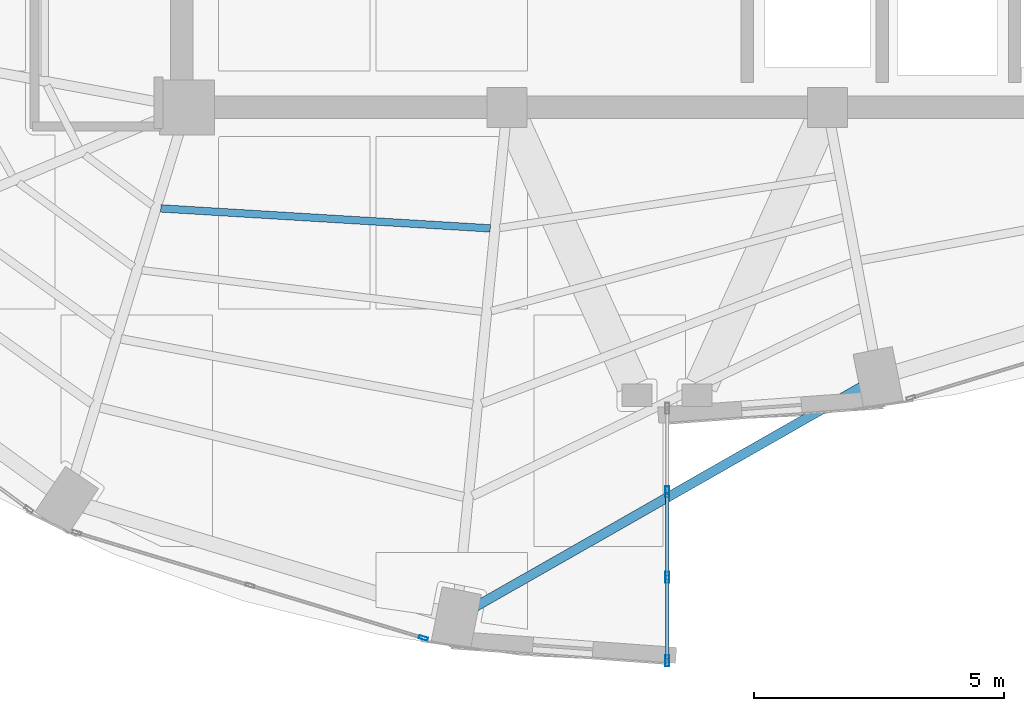
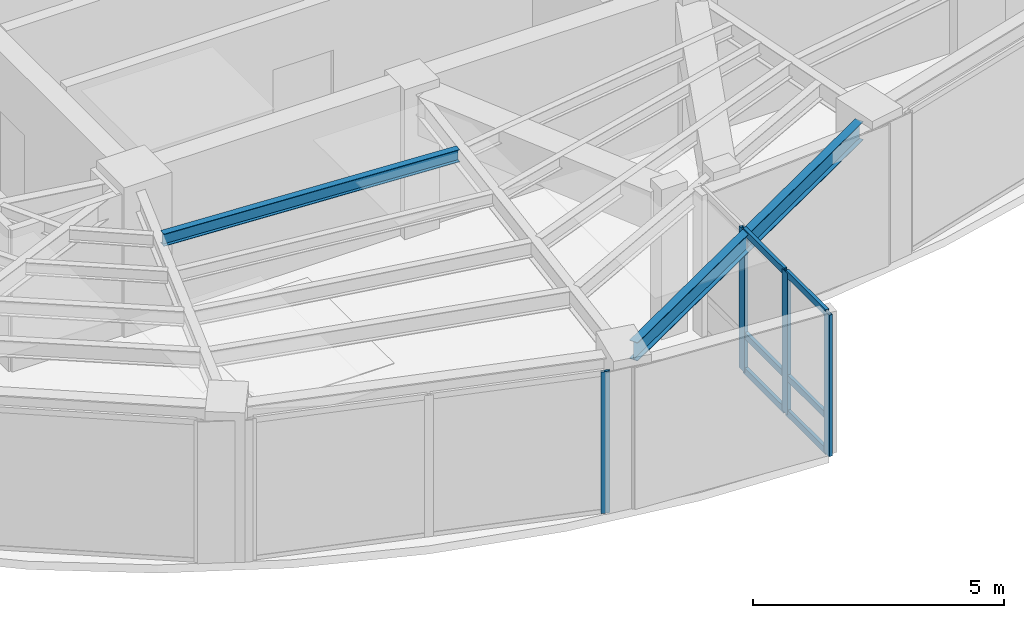
# One storey, part 5 of 22: 10 members, 2 beams, 2 elements without a shape of their own.
"""IFC4 building model written with IfcOpenShell, lengths in metres."""

import ifcopenshell
import ifcopenshell.guid

model = None  # the IFC model being written
_history = None  # IfcOwnerHistory: only IFC2X3 demands one
_inside = {}  # id of a spatial element -> (the spatial element, [elements in it])
_under = {}  # id of a project, library or spatial element -> (it, [spatial elements below it])
_declared = {}  # id of a project -> (the project, [libraries it declares])
_typed = {}  # id of a type object -> (the type object, [elements of that type])
_made_of = {}  # id of a material, layer set ... -> (it, [elements and type objects made of it])


def new_model(schema):
    """Start an empty IFC model of exactly this schema.

    Asked for "IFC4X3", IfcOpenShell would pick the latest addendum, in which some entities
    have other attributes; the version numbers below select the first issue.
    IFC2X3 requires an IfcOwnerHistory on every rooted entity: one is made here for all.
    """
    global model, _history
    if schema == "IFC4X3":
        model = ifcopenshell.file(schema_version=(4, 3, 0, 0))
    else:
        model = ifcopenshell.file(schema=schema)
    _inside.clear()
    _under.clear()
    _declared.clear()
    _typed.clear()
    _made_of.clear()
    _history = None
    if model.schema == "IFC2X3":
        org = make("IfcOrganization", Name="unknown")
        user = make(
            "IfcPersonAndOrganization",
            ThePerson=make("IfcPerson", FamilyName="unknown"),
            TheOrganization=org,
        )
        app = make(
            "IfcApplication",
            ApplicationDeveloper=org,
            Version="unknown",
            ApplicationFullName="unknown",
            ApplicationIdentifier="unknown",
        )
        _history = make(
            "IfcOwnerHistory",
            OwningUser=user,
            OwningApplication=app,
            ChangeAction="ADDED",
            CreationDate=0,
        )
    return model


def make(cls, **values):
    """One entity of the class cls with the attributes given. An attribute that is None is left unset."""
    return model.create_entity(
        cls, **{name: value for name, value in values.items() if value is not None}
    )


def rooted(cls, **values):
    """An entity with a GlobalId (a new one), such as an element, a storey or a relation."""
    return make(cls, GlobalId=ifcopenshell.guid.new(), OwnerHistory=_history, **values)


def si_unit(unit_type, name, prefix=None):
    """IfcSIUnit, for example si_unit("LENGTHUNIT", "METRE", prefix="MILLI")."""
    return make("IfcSIUnit", UnitType=unit_type, Prefix=prefix, Name=name)


def assignment(units):
    """IfcUnitAssignment: the units of a project."""
    return None if units is None else make("IfcUnitAssignment", Units=units)


def point(xyz):
    """IfcCartesianPoint."""
    return None if xyz is None else make("IfcCartesianPoint", Coordinates=xyz)


def direction(xyz):
    """IfcDirection."""
    return None if xyz is None else make("IfcDirection", DirectionRatios=xyz)


def frame(location, z_axis=None, x_axis=None):
    """IfcAxis2Placement3D, a coordinate frame: its origin and axes. An axis left out is left unset."""
    return make(
        "IfcAxis2Placement3D",
        Location=point(location),
        Axis=direction(z_axis),
        RefDirection=direction(x_axis),
    )


def frame_2d(location, x_axis=None):
    """IfcAxis2Placement2D, a coordinate frame in the plane: its origin and x axis."""
    return make(
        "IfcAxis2Placement2D", Location=point(location), RefDirection=direction(x_axis)
    )


def origin():
    """The frame at (0, 0, 0) with its axes left unset."""
    return frame((0.0, 0.0, 0.0))


def origin_2d():
    """The frame at (0, 0) in the plane with its x axis left unset."""
    return frame_2d((0.0, 0.0))


def place(relative_to, where):
    """IfcLocalPlacement: puts the frame where relative to a parent placement (None: the world)."""
    return make(
        "IfcLocalPlacement", PlacementRelTo=relative_to, RelativePlacement=where
    )


def context(
    kind, dimensions, precision=None, world=None, true_north=None, identifier=None
):
    """IfcGeometricRepresentationContext, for example the 3D "Model" context."""
    return make(
        "IfcGeometricRepresentationContext",
        ContextIdentifier=identifier,
        ContextType=kind,
        CoordinateSpaceDimension=dimensions,
        Precision=precision,
        WorldCoordinateSystem=world,
        TrueNorth=true_north,
    )


def subcontext(parent, identifier, kind, view, scale=None):
    """IfcGeometricRepresentationSubContext, for example "Body" below "Model"."""
    return make(
        "IfcGeometricRepresentationSubContext",
        ContextIdentifier=identifier,
        ContextType=kind,
        ParentContext=parent,
        TargetScale=scale,
        TargetView=view,
    )


def project(units=None, contexts=None):
    """IfcProject with its units and contexts."""
    return rooted(
        "IfcProject",
        Name="project",
        RepresentationContexts=contexts,
        UnitsInContext=assignment(units),
    )


def spatial(cls, under=None, at=None, **own):
    """A site, building, storey or space (cls), placed at a placement, below another one or the project."""
    s = rooted(cls, ObjectPlacement=at, **own)
    if under is not None:
        _under.setdefault(under.id(), (under, []))[1].append(s)
    return s


def profile(cls, at=None, kind="AREA", **sizes):
    """A parametric profile (cls). Its sizes go by their IFC names, for example OverallWidth=200.0."""
    return make(cls, ProfileType=kind, Position=at, **sizes)


def hollow_rectangle(**sizes):
    """IfcRectangleHollowProfileDef."""
    return profile("IfcRectangleHollowProfileDef", **sizes)


def i_section(**sizes):
    """IfcIShapeProfileDef."""
    return profile("IfcIShapeProfileDef", **sizes)


def extrude(swept, where, along, depth):
    """IfcExtrudedAreaSolid: the profile swept, set in the frame where, extruded along a direction by depth."""
    return make(
        "IfcExtrudedAreaSolid",
        SweptArea=swept,
        Position=where,
        ExtrudedDirection=direction(along),
        Depth=depth,
    )


def shape(context_of_items, identifier, shape_type, items):
    """IfcShapeRepresentation: the items that make up one representation, for example the "Body"."""
    return make(
        "IfcShapeRepresentation",
        ContextOfItems=context_of_items,
        RepresentationIdentifier=identifier,
        RepresentationType=shape_type,
        Items=items,
    )


def material(Name=None, Category=None):
    """IfcMaterial."""
    return make("IfcMaterial", Name=Name, Category=Category)


def layer(
    of_material, thickness, ventilated=None, Name=None, Category=None, Priority=None
):
    """IfcMaterialLayer: one layer of a wall or slab, of a material (None: an air gap)."""
    return make(
        "IfcMaterialLayer",
        Material=of_material,
        LayerThickness=thickness,
        IsVentilated=ventilated,
        Name=Name,
        Category=Category,
        Priority=Priority,
    )


def layer_set(layers, Name=None):
    """IfcMaterialLayerSet."""
    return make("IfcMaterialLayerSet", MaterialLayers=layers, LayerSetName=Name)


def material_profile(
    of_material, cross_section, Name=None, Category=None, Priority=None
):
    """IfcMaterialProfile: a cross section and its material."""
    return make(
        "IfcMaterialProfile",
        Name=Name,
        Material=of_material,
        Profile=cross_section,
        Priority=Priority,
        Category=Category,
    )


def profile_set(profiles, Name=None, composite=None):
    """IfcMaterialProfileSet."""
    return make(
        "IfcMaterialProfileSet",
        Name=Name,
        MaterialProfiles=profiles,
        CompositeProfile=composite,
    )


def made_of(thing, what):
    """Note that an element or type object is made of a material, layer set ...; save() writes the relation."""
    if what is not None:
        _made_of.setdefault(what.id(), (what, []))[1].append(thing)
    return thing


def type_object(cls, material=None, **own):
    """A type object (cls), such as IfcWallType, which elements share."""
    return made_of(rooted(cls, **own), material)


def element(
    cls,
    number,
    at=None,
    inside=None,
    cuts=None,
    type_object=None,
    material=None,
    context=None,
    identifier="Body",
    shape_type=None,
    held_by="IfcProductDefinitionShape",
    body=None,
    shapes=None,
    **own,
):
    """One element of the class cls, such as IfcWall. Its Tag is "e" and its number.

    at: its placement. inside: the storey or other place that contains it. cuts: it is an
    opening in that element (IfcRelVoidsElement). A single representation is given by context,
    identifier, shape_type and body (its items); several are given by shapes. held_by: the class
    of the entity that holds the representations. save() writes the other relations.
    """
    e = rooted(cls, Tag="e%d" % number, ObjectPlacement=at, **own)
    if body is not None:
        shapes = [shape(context, identifier, shape_type, body)]
    if shapes is not None:
        e.Representation = make(held_by, Representations=shapes)
    if inside is not None:
        _inside.setdefault(inside.id(), (inside, []))[1].append(e)
    if cuts is not None:
        rooted(
            "IfcRelVoidsElement", RelatingBuildingElement=cuts, RelatedOpeningElement=e
        )
    if type_object is not None:
        _typed.setdefault(type_object.id(), (type_object, []))[1].append(e)
    return made_of(e, material)


def aggregate(whole, parts):
    """IfcRelAggregates: a whole, such as a stair, and the parts it consists of."""
    return rooted("IfcRelAggregates", RelatingObject=whole, RelatedObjects=parts)


def save(model, path):
    """Write the relations noted so far, then the file.

    IfcRelAggregates (storeys below a building ...), IfcRelContainedInSpatialStructure (elements
    in a storey), IfcRelDefinesByType, IfcRelAssociatesMaterial and IfcRelDeclares: one each for
    every whole, place, type object, material and project.
    """
    for whole, parts in _under.values():
        aggregate(whole, parts)
    for where, things in _inside.values():
        rooted(
            "IfcRelContainedInSpatialStructure",
            RelatedElements=things,
            RelatingStructure=where,
        )
    for kind, things in _typed.values():
        rooted("IfcRelDefinesByType", RelatedObjects=things, RelatingType=kind)
    for what, things in _made_of.values():
        rooted("IfcRelAssociatesMaterial", RelatedObjects=things, RelatingMaterial=what)
    for by, libraries in _declared.values():
        rooted("IfcRelDeclares", RelatingContext=by, RelatedDefinitions=libraries)
    model.write(path)


model = new_model("IFC4")

# Units and contexts
model_context = context("Model", 3, precision=1e-05, world=origin(), true_north=direction((0.0, 1.0)))
body_context = subcontext(model_context, "Body", "Model", "MODEL_VIEW")
ifc_project = project(units=[si_unit("LENGTHUNIT", "METRE"), si_unit("AREAUNIT", "SQUARE_METRE"), si_unit("VOLUMEUNIT", "CUBIC_METRE"), si_unit("PLANEANGLEUNIT", "RADIAN"), si_unit("MASSUNIT", "GRAM", prefix="KILO")], contexts=[model_context])

# Site, building, storey
site_placement = place(None, origin())
site = spatial("IfcSite", under=ifc_project, at=site_placement, CompositionType="ELEMENT")
building_placement = place(site_placement, origin())
building = spatial("IfcBuilding", under=site, at=building_placement, Name="Lazwardi Medical Tower", CompositionType="ELEMENT")
storey_placement = place(building_placement, frame((0.0, 0.0, 255.02392578125)))
storey = spatial("IfcBuildingStorey", under=building, at=storey_placement, Name="L66", CompositionType="ELEMENT", Elevation=255.02392578125)

# Beams
ifc_material_1 = material(Name="Steel S355", Category="steel")
ifc_material_profile_1 = material_profile(ifc_material_1, i_section(OverallWidth=0.14990234375, OverallDepth=0.300048828125, WebThickness=0.007080078125, FlangeThickness=0.0107421875, at=origin_2d()), Name="IPE 300")
ifc_profile_set_1 = profile_set([ifc_material_profile_1], Name="Steel S355")
beam_type_1 = type_object("IfcBeamType", Name="BM-SJ-03", PredefinedType="JOIST", material=ifc_profile_set_1)
beam_1_placement = place(storey_placement, frame((25.879150390625, 18.3798828125, 3.298095703125), z_axis=(0.998165515862, -0.060544223044, 0.0), x_axis=(0.060544223044, 0.998165515862, 0.0)))
element("IfcBeam", 1, at=beam_1_placement, inside=storey, type_object=beam_type_1, Name="Secondary joist SJ-03 R4 B15 L66", PredefinedType="JOIST", context=body_context, shape_type="SweptSolid", body=[
    extrude(i_section(OverallWidth=0.14990234375, OverallDepth=0.300048828125, WebThickness=0.007080078125, FlangeThickness=0.0107421875, at=origin_2d()), origin(), (0.0, 0.0, 1.0), 6.59716796875),
])
ifc_material_profile_2 = material_profile(ifc_material_1, i_section(OverallWidth=0.18994140625, OverallDepth=0.449951171875, WebThickness=0.009521484375, FlangeThickness=0.0146484375, at=origin_2d()), Name="IPE 450")
ifc_profile_set_2 = profile_set([ifc_material_profile_2], Name="Steel S355")
beam_type_2 = type_object("IfcBeamType", Name="BM-SP-01", PredefinedType="SPANDREL", material=ifc_profile_set_2)
beam_2_placement = place(storey_placement, frame((32.125, 10.394775390625, 3.22314453125), z_axis=(0.868954808466, 0.494891443494, 0.0), x_axis=(-0.494891443494, 0.868954808466, 0.0)))
element("IfcBeam", 2, at=beam_2_placement, inside=storey, type_object=beam_type_2, Name="Spandrel beam SP-01 B16 L66", PredefinedType="SPANDREL", context=body_context, shape_type="SweptSolid", body=[
    extrude(i_section(OverallWidth=0.18994140625, OverallDepth=0.449951171875, WebThickness=0.009521484375, FlangeThickness=0.0146484375, at=origin_2d()), origin(), (0.0, 0.0, 1.0), 8.918701171875),
])

# Curtain wall, members
ifc_material_2 = material(Name="Anodised bronze aluminium and solar control glazing", Category="aluminium")
ifc_layer_1 = layer(ifc_material_2, 0.2099609375)
ifc_layer_set_1 = layer_set([ifc_layer_1], Name="Anodised bronze aluminium and solar control glazing")
curtain_wall_type_1 = type_object("IfcCurtainWallType", Name="CW-SYS-06", PredefinedType="NOTDEFINED", material=ifc_layer_set_1)
curtain_wall_1_placement = place(storey_placement, origin())
curtain_wall_1 = element("IfcCurtainWall", 3, at=curtain_wall_1_placement, inside=storey, type_object=curtain_wall_type_1, Name="L66 Unitised bronze curtain wall CW-06", PredefinedType="NOTDEFINED")
ifc_material_3 = material(Name="Anodised bronze aluminium", Category="aluminium")
ifc_material_profile_3 = material_profile(ifc_material_3, hollow_rectangle(XDim=0.074951171875, YDim=0.219970703125, WallThickness=0.00390625, at=origin_2d()), Name="ALU-MULLION 220x75x4")
ifc_profile_set_3 = profile_set([ifc_material_profile_3], Name="Anodised bronze aluminium")
member_type_1 = type_object("IfcMemberType", Name="CW-MUL-01", PredefinedType="MULLION", material=ifc_profile_set_3)
member_1_placement = place(storey_placement, frame((36.0, 9.33740234375, 0.0), z_axis=(0.0, 0.0, 1.0), x_axis=(-1.0, 0.0, 0.0)))
member_1 = element("IfcMember", 4, at=member_1_placement, type_object=member_type_1, Name="CW-06 mullion 1", PredefinedType="MULLION", context=body_context, shape_type="SweptSolid", body=[
    extrude(hollow_rectangle(XDim=0.074951171875, YDim=0.219970703125, WallThickness=0.00390625, at=origin_2d()), origin(), (0.0, 0.0, 1.0), 3.447998046875),
])
member_2_placement = place(storey_placement, frame((36.0, 11.006591796875, 0.0), z_axis=(0.0, 0.0, 1.0), x_axis=(-1.0, 0.0, 0.0)))
member_2 = element("IfcMember", 5, at=member_2_placement, type_object=member_type_1, Name="CW-06 mullion 2", PredefinedType="MULLION", context=body_context, shape_type="SweptSolid", body=[
    extrude(hollow_rectangle(XDim=0.074951171875, YDim=0.219970703125, WallThickness=0.00390625, at=origin_2d()), origin(), (0.0, 0.0, 1.0), 3.447998046875),
])
member_3_placement = place(storey_placement, frame((36.0, 12.71337890625, 0.0), z_axis=(0.0, 0.0, 1.0), x_axis=(-1.0, 0.0, 0.0)))
member_3 = element("IfcMember", 6, at=member_3_placement, type_object=member_type_1, Name="CW-06 mullion 3", PredefinedType="MULLION", context=body_context, shape_type="SweptSolid", body=[
    extrude(hollow_rectangle(XDim=0.074951171875, YDim=0.219970703125, WallThickness=0.00390625, at=origin_2d()), origin(), (0.0, 0.0, 1.0), 3.447998046875),
])

# Curtain wall, member
ifc_layer_2 = layer(ifc_material_2, 0.18994140625)
ifc_layer_set_2 = layer_set([ifc_layer_2], Name="Anodised bronze aluminium and solar control glazing")
curtain_wall_type_2 = type_object("IfcCurtainWallType", Name="CW-SYS-04", PredefinedType="NOTDEFINED", material=ifc_layer_set_2)
curtain_wall_2_placement = place(storey_placement, origin())
curtain_wall_2 = element("IfcCurtainWall", 7, at=curtain_wall_2_placement, inside=storey, type_object=curtain_wall_type_2, Name="L66 Unitised bronze curtain wall CW-04", PredefinedType="NOTDEFINED")
ifc_material_profile_4 = material_profile(ifc_material_3, hollow_rectangle(XDim=0.06494140625, YDim=0.179931640625, WallThickness=0.00390625, at=origin_2d()), Name="ALU-MULLION 180x65x4")
ifc_profile_set_4 = profile_set([ifc_material_profile_4], Name="Anodised bronze aluminium")
member_type_2 = type_object("IfcMemberType", Name="CW-MUL-03", PredefinedType="MULLION", material=ifc_profile_set_4)
member_4_placement = place(storey_placement, frame((31.126953125, 9.79296875, 0.0), z_axis=(0.0, 0.0, 1.0), x_axis=(0.290581889515, 0.956850126972, 0.0)))
member_4 = element("IfcMember", 8, at=member_4_placement, type_object=member_type_2, Name="CW-04 mullion 3", PredefinedType="MULLION", context=body_context, shape_type="SweptSolid", body=[
    extrude(hollow_rectangle(XDim=0.06494140625, YDim=0.179931640625, WallThickness=0.00390625, at=origin_2d()), origin(), (0.0, 0.0, 1.0), 3.447998046875),
])
aggregate(curtain_wall_2, [member_4])

# Member
ifc_material_profile_5 = material_profile(ifc_material_3, hollow_rectangle(XDim=0.074951171875, YDim=0.159912109375, WallThickness=0.00390625, at=origin_2d()), Name="ALU-TRANSOM 160x75x4")
ifc_profile_set_5 = profile_set([ifc_material_profile_5], Name="Anodised bronze aluminium")
member_type_3 = type_object("IfcMemberType", Name="CW-TRN-01", PredefinedType="USERDEFINED", material=ifc_profile_set_5)
member_5_placement = place(storey_placement, frame((36.0, 9.375, 0.03759765625), z_axis=(0.0, 1.0, 0.0), x_axis=(-1.0, 0.0, 0.0)))
member_5 = element("IfcMember", 9, at=member_5_placement, type_object=member_type_3, Name="CW-06 transom 1.1", ObjectType="TRANSOM", PredefinedType="USERDEFINED", context=body_context, shape_type="SweptSolid", body=[
    extrude(hollow_rectangle(XDim=0.074951171875, YDim=0.159912109375, WallThickness=0.00390625, at=origin_2d()), origin(), (0.0, 0.0, 1.0), 1.59423828125),
])

member_6_placement = place(storey_placement, frame((36.0, 9.375, 0.900146484375), z_axis=(0.0, 1.0, 0.0), x_axis=(-1.0, 0.0, 0.0)))
member_6 = element("IfcMember", 10, at=member_6_placement, type_object=member_type_3, Name="CW-06 transom 1.2", ObjectType="TRANSOM", PredefinedType="USERDEFINED", context=body_context, shape_type="SweptSolid", body=[
    extrude(hollow_rectangle(XDim=0.074951171875, YDim=0.159912109375, WallThickness=0.00390625, at=origin_2d()), origin(), (0.0, 0.0, 1.0), 1.59423828125),
])

member_7_placement = place(storey_placement, frame((36.0, 9.375, 3.41064453125), z_axis=(0.0, 1.0, 0.0), x_axis=(-1.0, 0.0, 0.0)))
member_7 = element("IfcMember", 11, at=member_7_placement, type_object=member_type_3, Name="CW-06 transom 1.3", ObjectType="TRANSOM", PredefinedType="USERDEFINED", context=body_context, shape_type="SweptSolid", body=[
    extrude(hollow_rectangle(XDim=0.074951171875, YDim=0.159912109375, WallThickness=0.00390625, at=origin_2d()), origin(), (0.0, 0.0, 1.0), 1.59423828125),
])

member_8_placement = place(storey_placement, frame((36.0, 11.044189453125, 0.03759765625), z_axis=(0.0, 1.0, 0.0), x_axis=(-1.0, 0.0, 0.0)))
member_8 = element("IfcMember", 12, at=member_8_placement, type_object=member_type_3, Name="CW-06 transom 2.1", ObjectType="TRANSOM", PredefinedType="USERDEFINED", context=body_context, shape_type="SweptSolid", body=[
    extrude(hollow_rectangle(XDim=0.074951171875, YDim=0.159912109375, WallThickness=0.00390625, at=origin_2d()), origin(), (0.0, 0.0, 1.0), 1.631591796875),
])

member_9_placement = place(storey_placement, frame((36.0, 11.044189453125, 0.900146484375), z_axis=(0.0, 1.0, 0.0), x_axis=(-1.0, 0.0, 0.0)))
member_9 = element("IfcMember", 13, at=member_9_placement, type_object=member_type_3, Name="CW-06 transom 2.2", ObjectType="TRANSOM", PredefinedType="USERDEFINED", context=body_context, shape_type="SweptSolid", body=[
    extrude(hollow_rectangle(XDim=0.074951171875, YDim=0.159912109375, WallThickness=0.00390625, at=origin_2d()), origin(), (0.0, 0.0, 1.0), 1.631591796875),
])

member_10_placement = place(storey_placement, frame((36.0, 11.044189453125, 3.41064453125), z_axis=(0.0, 1.0, 0.0), x_axis=(-1.0, 0.0, 0.0)))
member_10 = element("IfcMember", 14, at=member_10_placement, type_object=member_type_3, Name="CW-06 transom 2.3", ObjectType="TRANSOM", PredefinedType="USERDEFINED", context=body_context, shape_type="SweptSolid", body=[
    extrude(hollow_rectangle(XDim=0.074951171875, YDim=0.159912109375, WallThickness=0.00390625, at=origin_2d()), origin(), (0.0, 0.0, 1.0), 1.631591796875),
])

aggregate(curtain_wall_1, [member_1, member_2, member_3, member_5, member_6, member_7, member_8, member_9, member_10])

save(model, "model.ifc")
